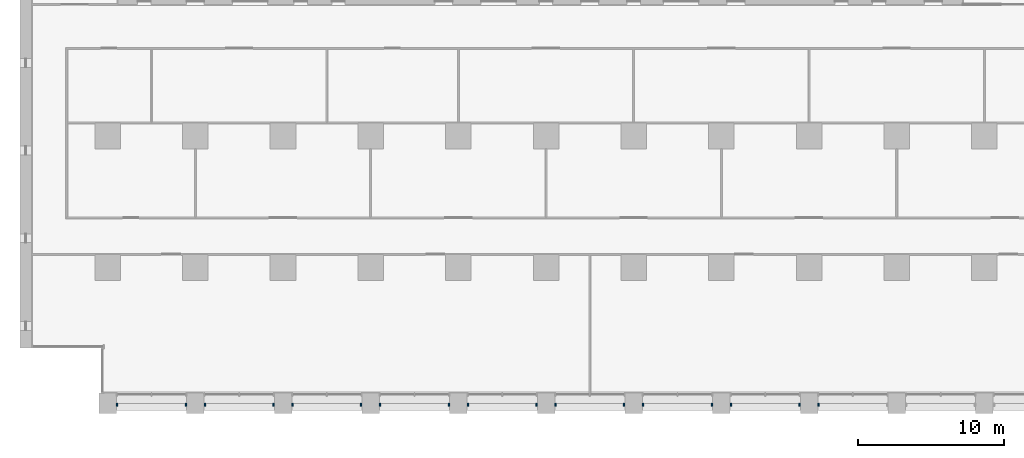
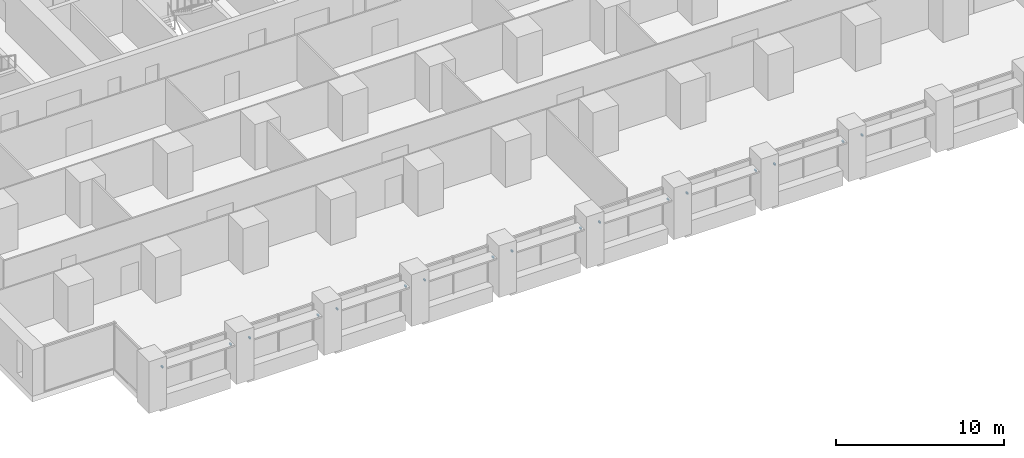
# One storey, part 15 of 18: 17 discrete accessories.
"""IFC4 building model written with IfcOpenShell, lengths in metres."""

from ifc_helpers import new_model, si_unit, direction, frame, origin, origin_2d, place, context, subcontext, project, spatial, rectangle, extrude, element, save


model = new_model("IFC4")

# Units and contexts
model_context = context("Model", 3, precision=1e-05, world=origin(), true_north=direction((0.0, 1.0)))
body_context = subcontext(model_context, "Body", "Model", "MODEL_VIEW")
ifc_project = project(units=[si_unit("LENGTHUNIT", "METRE"), si_unit("AREAUNIT", "SQUARE_METRE"), si_unit("VOLUMEUNIT", "CUBIC_METRE"), si_unit("PLANEANGLEUNIT", "RADIAN"), si_unit("MASSUNIT", "GRAM", prefix="KILO")], contexts=[model_context])

# Site, building, storey
site_placement = place(None, origin())
site = spatial("IfcSite", under=ifc_project, at=site_placement, CompositionType="ELEMENT")
building_placement = place(site_placement, origin())
building = spatial("IfcBuilding", under=site, at=building_placement, Name="Calvaro Tower", CompositionType="ELEMENT")
storey_placement = place(building_placement, frame((0.0, 0.0, 37.5)))
storey = spatial("IfcBuildingStorey", under=building, at=storey_placement, Name="L08", CompositionType="ELEMENT", Elevation=37.5)

# Discrete accessories
for number, where, z_axis, x_axis, name in (
    (1, (6.64990234375, 0.60009765625, 2.14990234375), (0.0, 0.0, 1.0), (1.0, 0.0, 0.0), "Brise-soleil bracket"),
    (2, (11.35009765625, 0.60009765625, 2.14990234375), (0.0, 0.0, 1.0), (1.0, 0.0, 0.0), "Brise-soleil bracket"),
    (3, (12.64990234375, 0.60009765625, 2.14990234375), (0.0, 0.0, 1.0), (1.0, 0.0, 0.0), "Brise-soleil bracket"),
    (4, (17.35009765625, 0.60009765625, 2.14990234375), (0.0, 0.0, 1.0), (1.0, 0.0, 0.0), "Brise-soleil bracket"),
    (5, (18.64990234375, 0.60009765625, 2.14990234375), (0.0, 0.0, 1.0), (1.0, 0.0, 0.0), "Brise-soleil bracket"),
    (6, (23.35009765625, 0.60009765625, 2.14990234375), (0.0, 0.0, 1.0), (1.0, 0.0, 0.0), "Brise-soleil bracket"),
    (7, (24.64990234375, 0.60009765625, 2.14990234375), (0.0, 0.0, 1.0), (1.0, 0.0, 0.0), "Brise-soleil bracket"),
    (8, (29.35009765625, 0.60009765625, 2.14990234375), (0.0, 0.0, 1.0), (1.0, 0.0, 0.0), "Brise-soleil bracket"),
    (9, (30.64990234375, 0.60009765625, 2.14990234375), (0.0, 0.0, 1.0), (1.0, 0.0, 0.0), "Brise-soleil bracket"),
    (10, (35.35009765625, 0.60009765625, 2.14990234375), (0.0, 0.0, 1.0), (1.0, 0.0, 0.0), "Brise-soleil bracket"),
    (11, (36.64990234375, 0.60009765625, 2.14990234375), (0.0, 0.0, 1.0), (1.0, 0.0, 0.0), "Brise-soleil bracket"),
    (12, (41.35009765625, 0.60009765625, 2.14990234375), (0.0, 0.0, 1.0), (1.0, 0.0, 0.0), "Brise-soleil bracket"),
    (13, (42.64990234375, 0.60009765625, 2.14990234375), (0.0, 0.0, 1.0), (1.0, 0.0, 0.0), "Brise-soleil bracket"),
    (14, (47.35009765625, 0.60009765625, 2.14990234375), (0.0, 0.0, 1.0), (1.0, 0.0, 0.0), "Brise-soleil bracket"),
    (15, (48.64990234375, 0.60009765625, 2.14990234375), (0.0, 0.0, 1.0), (1.0, 0.0, 0.0), "Brise-soleil bracket"),
    (16, (53.35009765625, 0.60009765625, 2.14990234375), (0.0, 0.0, 1.0), (1.0, 0.0, 0.0), "Brise-soleil bracket"),
    (17, (54.64990234375, 0.60009765625, 2.14990234375), (0.0, 0.0, 1.0), (1.0, 0.0, 0.0), "Brise-soleil bracket"),
):
    element("IfcDiscreteAccessory", number, at=place(storey_placement, frame(where, z_axis=z_axis, x_axis=x_axis)), inside=storey, Name=name, PredefinedType="BRACKET", context=body_context, shape_type="SweptSolid", body=[
        extrude(rectangle(XDim=0.10009765625, YDim=0.199951171875, at=origin_2d()), origin(), (0.0, 0.0, 1.0), 0.10009765625),
    ])

save(model, "model.ifc")
